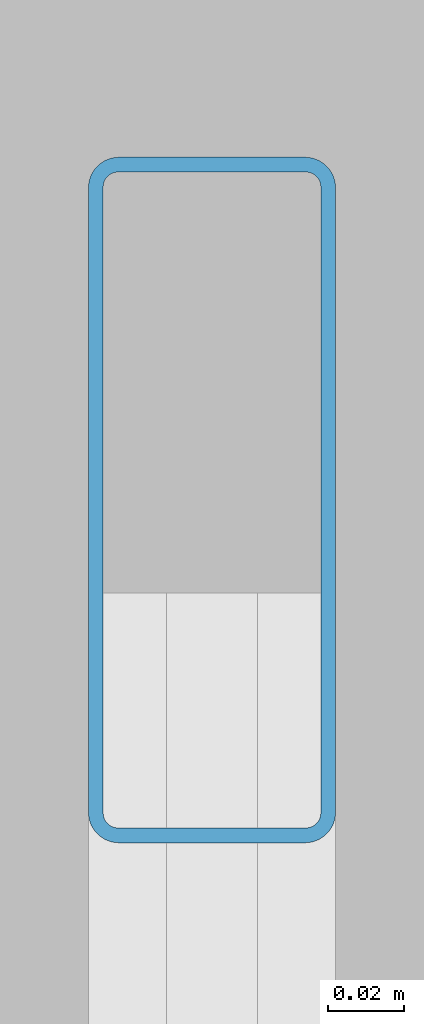
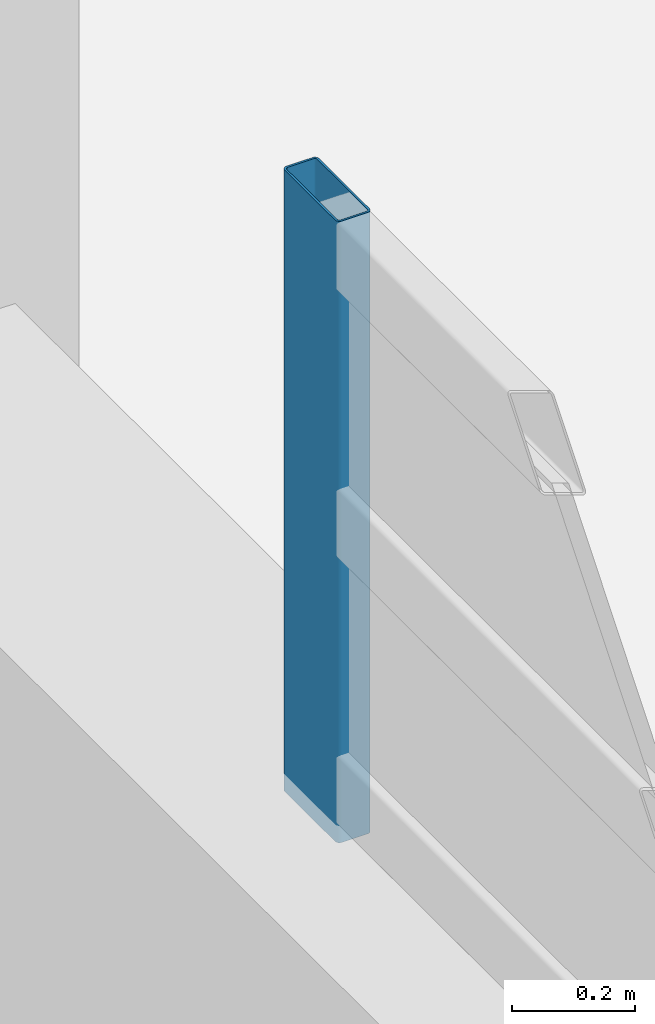
# One storey, part 99 of 197: 1 member, 1 element without a shape of its own.
"""IFC4 building model written with IfcOpenShell, lengths in metres."""

from ifc_helpers import new_model, si_unit, derived_unit, direction, frame, origin, origin_2d, place, context, subcontext, project, spatial, hollow_rectangle, extrude, material, layer, layer_set, material_profile, profile_set, type_object, element, aggregate, save


model = new_model("IFC4")

# Units and contexts
model_context = context("Model", 3, precision=1e-05, world=origin(), true_north=direction((0.0, 1.0)))
body_context = subcontext(model_context, "Body", "Model", "MODEL_VIEW")
ifc_project = project(units=[si_unit("LENGTHUNIT", "METRE"), si_unit("AREAUNIT", "SQUARE_METRE"), si_unit("VOLUMEUNIT", "CUBIC_METRE"), si_unit("PLANEANGLEUNIT", "RADIAN"), si_unit("MASSUNIT", "GRAM", prefix="KILO"), derived_unit("THERMALTRANSMITTANCEUNIT", [(si_unit("POWERUNIT", "WATT"), 1), (si_unit("LENGTHUNIT", "METRE"), -2), (si_unit("THERMODYNAMICTEMPERATUREUNIT", "KELVIN"), -1)])], contexts=[model_context])

# Site, building, storey
site_placement = place(None, origin())
site = spatial("IfcSite", under=ifc_project, at=site_placement, CompositionType="ELEMENT")
building_placement = place(site_placement, origin())
building = spatial("IfcBuilding", under=site, at=building_placement, Name="Almenara Railside Exhibition Hall", CompositionType="ELEMENT")
storey_placement = place(building_placement, frame((0.0, 0.0, 5.39990234375)))
storey = spatial("IfcBuildingStorey", under=building, at=storey_placement, Name="L01", CompositionType="ELEMENT", Elevation=5.39990234375)

# Curtain wall, member
ifc_material_1 = material(Name="Bronze-anodised aluminium and low-E double glazing", Category="aluminium")
ifc_layer = layer(ifc_material_1, 0.179931640625, Name="Bronze-anodised aluminium and low-E double glazing")
ifc_layer_set = layer_set([ifc_layer], Name="Bronze-anodised aluminium and low-E double glazing")
curtain_wall_type = type_object("IfcCurtainWallType", Name="East Hall Clerestory Curtain Wall 4400x2300", PredefinedType="NOTDEFINED", material=ifc_layer_set)
curtain_wall_placement = place(storey_placement, origin())
curtain_wall = element("IfcCurtainWall", 1, at=curtain_wall_placement, inside=storey, type_object=curtain_wall_type, Name="Curtain wall CW-CL3-052", PredefinedType="NOTDEFINED")
ifc_material_2 = material(Name="Bronze-anodised aluminium", Category="aluminium")
ifc_material_profile = material_profile(ifc_material_2, hollow_rectangle(XDim=0.06494140625, YDim=0.179931640625, WallThickness=0.00390625, InnerFilletRadius=0.00390625, OuterFilletRadius=0.008056640625, at=origin_2d()), Name="ALU-MUL 65x180x4")
ifc_profile_set = profile_set([ifc_material_profile], Name="Bronze-anodised aluminium")
member_type = type_object("IfcMemberType", Name="Curtain Wall Mullion 65x180x4", PredefinedType="MULLION", material=ifc_profile_set)
member_placement = place(storey_placement, frame((138.0, 46.16748046875, 5.4150390625), z_axis=(0.0, 0.0, 1.0), x_axis=(-1.0, 0.0, 0.0)))
member = element("IfcMember", 2, at=member_placement, type_object=member_type, Name="CW-CL3-052 mullion 4", PredefinedType="MULLION", context=body_context, shape_type="SweptSolid", body=[
    extrude(hollow_rectangle(XDim=0.06494140625, YDim=0.179931640625, WallThickness=0.00390625, InnerFilletRadius=0.00390625, OuterFilletRadius=0.008056640625, at=origin_2d()), origin(), (0.0, 0.0, 1.0), 1.235107421875),
])
aggregate(curtain_wall, [member])

save(model, "model.ifc")
